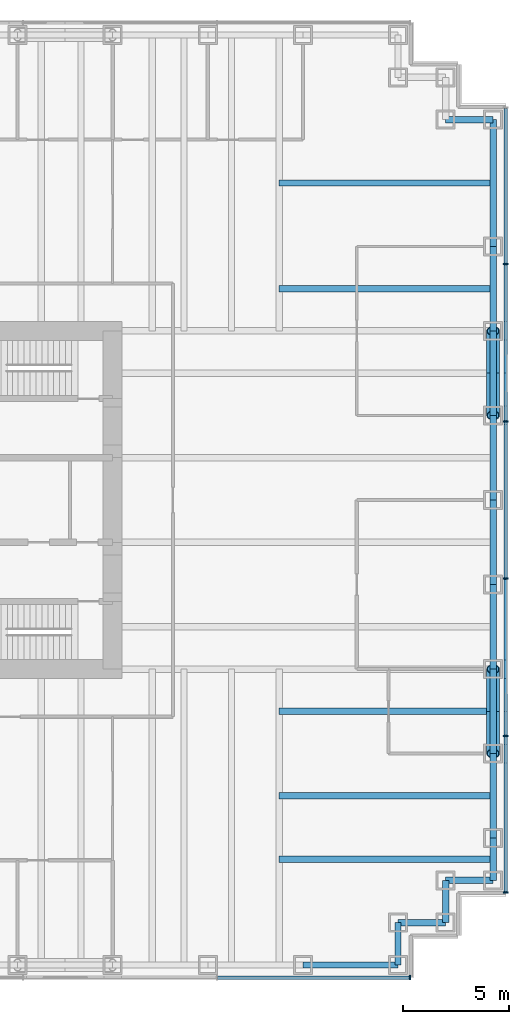
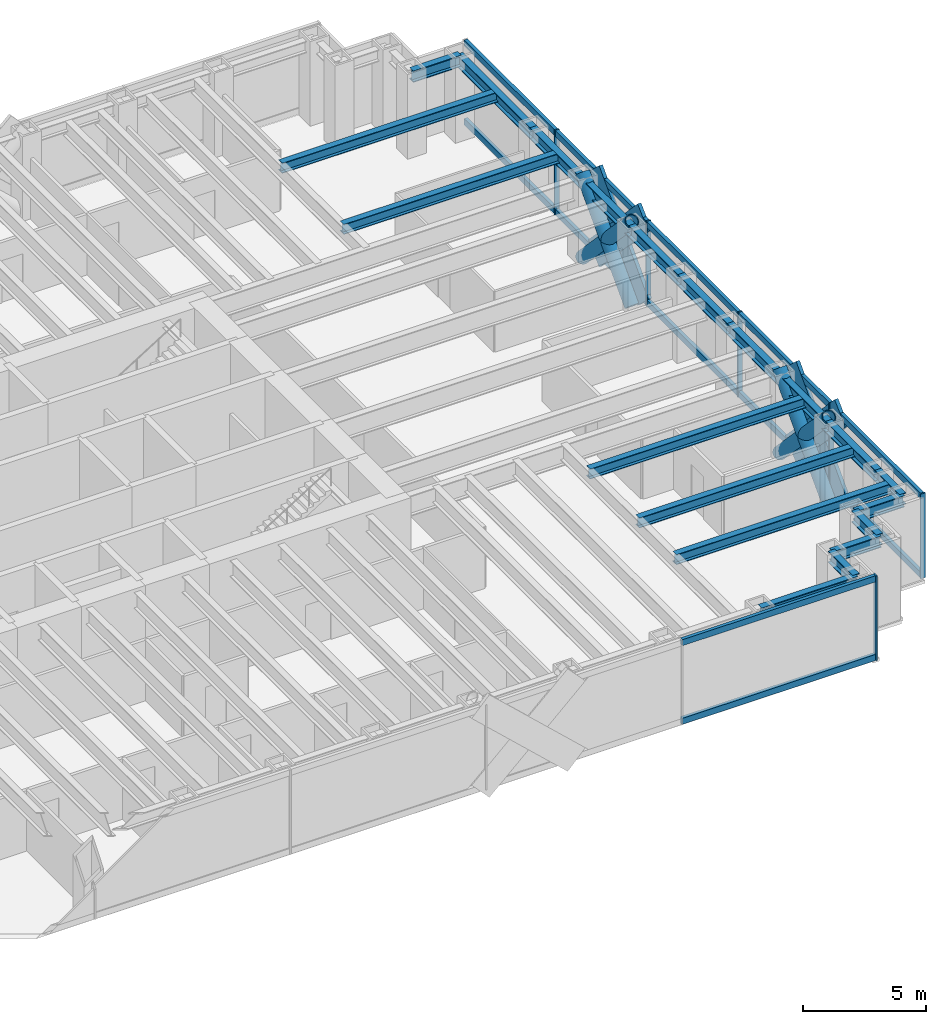
# One storey, part 8 of 19: 26 members, 20 beams, 2 elements without a shape of their own.
"""IFC4 building model written with IfcOpenShell, lengths in metres."""

from ifc_helpers import new_model, si_unit, direction, frame, origin, origin_2d, place, context, subcontext, project, spatial, rectangle, hollow_circle, i_section, extrude, material, material_profile, profile_set, type_object, element, aggregate, save


model = new_model("IFC4")

# Units and contexts
model_context = context("Model", 3, precision=1e-05, world=origin(), true_north=direction((0.0, 1.0)))
body_context = subcontext(model_context, "Body", "Model", "MODEL_VIEW")
ifc_project = project(units=[si_unit("LENGTHUNIT", "METRE"), si_unit("AREAUNIT", "SQUARE_METRE"), si_unit("VOLUMEUNIT", "CUBIC_METRE"), si_unit("PLANEANGLEUNIT", "RADIAN"), si_unit("MASSUNIT", "GRAM", prefix="KILO")], contexts=[model_context])

# Site, building, storey
site_placement = place(None, origin())
site = spatial("IfcSite", under=ifc_project, at=site_placement, CompositionType="ELEMENT")
building_placement = place(site_placement, origin())
building = spatial("IfcBuilding", under=site, at=building_placement, Name="Rheinbord Bourse Tower", CompositionType="ELEMENT")
storey_placement = place(building_placement, frame((0.0, 0.0, 167.699951171875)))
storey = spatial("IfcBuildingStorey", under=building, at=storey_placement, Name="L37", CompositionType="ELEMENT", Elevation=167.699951171875)

# Curtain wall, members
ifc_material_1 = material(Name="Dark glass and black aluminium", Category="aluminium")
curtain_wall_type = type_object("IfcCurtainWallType", Name="CW2 DARK GLASS CURTAIN WALL", PredefinedType="USERDEFINED", material=ifc_material_1)
curtain_wall_1_placement = place(storey_placement, origin())
curtain_wall_1 = element("IfcCurtainWall", 1, at=curtain_wall_1_placement, inside=storey, type_object=curtain_wall_type, Name="Curtain wall CW2 E L37", ObjectType="UNITISED CURTAIN WALL", PredefinedType="USERDEFINED")
ifc_material_2 = material(Name="Black anodised aluminium", Category="aluminium")
ifc_material_profile_1 = material_profile(ifc_material_2, rectangle(XDim=0.159912109375, YDim=1.2099609375, at=origin_2d()), Name="CW2 DIAGONAL MULLION 1210x160")
ifc_profile_set_1 = profile_set([ifc_material_profile_1], Name="Black anodised aluminium")
member_type_1 = type_object("IfcMemberType", Name="CW2 BLACK DIAGONAL MULLION", PredefinedType="USERDEFINED", material=ifc_profile_set_1)
member_1_placement = place(storey_placement, frame((72.60009765625, 12.0, 0.0), z_axis=(0.0, 0.689659376744, 0.724133926887), x_axis=(-1.0, 0.0, 0.0)))
member_1 = element("IfcMember", 2, at=member_1_placement, type_object=member_type_1, Name="CW2 diagonal mullion a", ObjectType="DIAGONAL MULLION", PredefinedType="USERDEFINED", context=body_context, shape_type="SweptSolid", body=[
    extrude(rectangle(XDim=0.159912109375, YDim=1.2099609375, at=origin_2d()), origin(), (0.0, 0.0, 1.0), 5.800048828125),
])
member_2_placement = place(storey_placement, frame((72.60009765625, 32.0, 0.0), z_axis=(0.0, -0.689659376744, 0.724133926887), x_axis=(1.0, 0.0, 0.0)))
member_2 = element("IfcMember", 3, at=member_2_placement, type_object=member_type_1, Name="CW2 diagonal mullion b", ObjectType="DIAGONAL MULLION", PredefinedType="USERDEFINED", context=body_context, shape_type="SweptSolid", body=[
    extrude(rectangle(XDim=0.159912109375, YDim=1.2099609375, at=origin_2d()), origin(), (0.0, 0.0, 1.0), 5.800048828125),
])
member_3_placement = place(storey_placement, frame((72.60009765625, 28.0, 0.0), z_axis=(0.0, 0.689659376744, 0.724133926887), x_axis=(-1.0, 0.0, 0.0)))
member_3 = element("IfcMember", 4, at=member_3_placement, type_object=member_type_1, Name="CW2 diagonal mullion c", ObjectType="DIAGONAL MULLION", PredefinedType="USERDEFINED", context=body_context, shape_type="SweptSolid", body=[
    extrude(rectangle(XDim=0.159912109375, YDim=1.2099609375, at=origin_2d()), origin(), (0.0, 0.0, 1.0), 5.800048828125),
])
member_4_placement = place(storey_placement, frame((72.60009765625, 16.0, 0.0), z_axis=(0.0, -0.689659376744, 0.724133926887), x_axis=(1.0, 0.0, 0.0)))
member_4 = element("IfcMember", 5, at=member_4_placement, type_object=member_type_1, Name="CW2 diagonal mullion d", ObjectType="DIAGONAL MULLION", PredefinedType="USERDEFINED", context=body_context, shape_type="SweptSolid", body=[
    extrude(rectangle(XDim=0.159912109375, YDim=1.2099609375, at=origin_2d()), origin(), (0.0, 0.0, 1.0), 5.800048828125),
])

# Curtain wall, member
curtain_wall_2_placement = place(storey_placement, origin())
curtain_wall_2 = element("IfcCurtainWall", 6, at=curtain_wall_2_placement, inside=storey, type_object=curtain_wall_type, Name="Curtain wall CW2 S L37", ObjectType="UNITISED CURTAIN WALL", PredefinedType="USERDEFINED")
ifc_material_3 = material(Name="Black anodised aluminium", Category="aluminium")
ifc_material_profile_2 = material_profile(ifc_material_3, rectangle(XDim=0.219970703125, YDim=0.070068359375, at=origin_2d()), Name="CW2 MULLION 70x220")
ifc_profile_set_2 = profile_set([ifc_material_profile_2], Name="Black anodised aluminium")
member_type_2 = type_object("IfcMemberType", Name="CW2 BLACK MULLION", PredefinedType="MULLION", material=ifc_profile_set_2)
member_5_placement = place(storey_placement, frame((68.06494140625, 1.39990234375, 0.0), z_axis=(0.0, 0.0, 1.0), x_axis=(0.0, 1.0, 0.0)))
member_5 = element("IfcMember", 7, at=member_5_placement, type_object=member_type_2, Name="CW2 mullion 8", PredefinedType="MULLION", context=body_context, shape_type="SweptSolid", body=[
    extrude(rectangle(XDim=0.219970703125, YDim=0.070068359375, at=origin_2d()), origin(), (0.0, 0.0, 1.0), 4.199951171875),
])

# Member
member_6_placement = place(storey_placement, frame((72.60009765625, 5.43505859375, 0.0), z_axis=(0.0, 0.0, 1.0), x_axis=(-1.0, 0.0, 0.0)))
member_6 = element("IfcMember", 8, at=member_6_placement, type_object=member_type_2, Name="CW2 mullion 1", PredefinedType="MULLION", context=body_context, shape_type="SweptSolid", body=[
    extrude(rectangle(XDim=0.219970703125, YDim=0.070068359375, at=origin_2d()), origin(), (0.0, 0.0, 1.0), 4.199951171875),
])

member_7_placement = place(storey_placement, frame((72.60009765625, 12.840087890625, 0.0), z_axis=(0.0, 0.0, 1.0), x_axis=(-1.0, 0.0, 0.0)))
member_7 = element("IfcMember", 9, at=member_7_placement, type_object=member_type_2, Name="CW2 mullion 2", PredefinedType="MULLION", context=body_context, shape_type="SweptSolid", body=[
    extrude(rectangle(XDim=0.219970703125, YDim=0.070068359375, at=origin_2d()), origin(), (0.0, 0.0, 1.0), 4.199951171875),
])

member_8_placement = place(storey_placement, frame((72.60009765625, 20.280029296875, 0.0), z_axis=(0.0, 0.0, 1.0), x_axis=(-1.0, 0.0, 0.0)))
member_8 = element("IfcMember", 10, at=member_8_placement, type_object=member_type_2, Name="CW2 mullion 3", PredefinedType="MULLION", context=body_context, shape_type="SweptSolid", body=[
    extrude(rectangle(XDim=0.219970703125, YDim=0.070068359375, at=origin_2d()), origin(), (0.0, 0.0, 1.0), 4.199951171875),
])

member_9_placement = place(storey_placement, frame((72.60009765625, 27.719970703125, 0.0), z_axis=(0.0, 0.0, 1.0), x_axis=(-1.0, 0.0, 0.0)))
member_9 = element("IfcMember", 11, at=member_9_placement, type_object=member_type_2, Name="CW2 mullion 4", PredefinedType="MULLION", context=body_context, shape_type="SweptSolid", body=[
    extrude(rectangle(XDim=0.219970703125, YDim=0.070068359375, at=origin_2d()), origin(), (0.0, 0.0, 1.0), 4.199951171875),
])

member_10_placement = place(storey_placement, frame((72.60009765625, 35.159912109375, 0.0), z_axis=(0.0, 0.0, 1.0), x_axis=(-1.0, 0.0, 0.0)))
member_10 = element("IfcMember", 12, at=member_10_placement, type_object=member_type_2, Name="CW2 mullion 5", PredefinedType="MULLION", context=body_context, shape_type="SweptSolid", body=[
    extrude(rectangle(XDim=0.219970703125, YDim=0.070068359375, at=origin_2d()), origin(), (0.0, 0.0, 1.0), 4.199951171875),
])

ifc_material_4 = material(Name="Black anodised aluminium", Category="aluminium")
ifc_material_profile_3 = material_profile(ifc_material_4, rectangle(XDim=0.159912109375, YDim=0.300048828125, at=origin_2d()), Name="CW2 TRANSOM 300x160")
ifc_profile_set_3 = profile_set([ifc_material_profile_3], Name="Black anodised aluminium")
member_type_3 = type_object("IfcMemberType", Name="CW2 BLACK TRANSOM", PredefinedType="USERDEFINED", material=ifc_profile_set_3)
member_11_placement = place(storey_placement, frame((58.963623046875, 1.39990234375, 0.150146484375), z_axis=(1.0, 0.0, 0.0), x_axis=(0.0, 1.0, 0.0)))
member_11 = element("IfcMember", 13, at=member_11_placement, type_object=member_type_3, Name="CW2 transom 7.1", ObjectType="TRANSOM", PredefinedType="USERDEFINED", context=body_context, shape_type="SweptSolid", body=[
    extrude(rectangle(XDim=0.159912109375, YDim=0.300048828125, at=origin_2d()), origin(), (0.0, 0.0, 1.0), 9.06640625),
])

member_12_placement = place(storey_placement, frame((58.963623046875, 1.39990234375, 4.050048828125), z_axis=(1.0, 0.0, 0.0), x_axis=(0.0, 1.0, 0.0)))
member_12 = element("IfcMember", 14, at=member_12_placement, type_object=member_type_3, Name="CW2 transom 7.2", ObjectType="TRANSOM", PredefinedType="USERDEFINED", context=body_context, shape_type="SweptSolid", body=[
    extrude(rectangle(XDim=0.159912109375, YDim=0.300048828125, at=origin_2d()), origin(), (0.0, 0.0, 1.0), 9.06640625),
])

aggregate(curtain_wall_2, [member_5, member_11, member_12])

member_13_placement = place(storey_placement, frame((72.60009765625, 5.469970703125, 0.150146484375), z_axis=(0.0, 1.0, 0.0), x_axis=(-1.0, 0.0, 0.0)))
member_13 = element("IfcMember", 15, at=member_13_placement, type_object=member_type_3, Name="CW2 transom 1.1", ObjectType="TRANSOM", PredefinedType="USERDEFINED", context=body_context, shape_type="SweptSolid", body=[
    extrude(rectangle(XDim=0.159912109375, YDim=0.300048828125, at=origin_2d()), origin(), (0.0, 0.0, 1.0), 7.3349609375),
])

member_14_placement = place(storey_placement, frame((72.60009765625, 5.469970703125, 4.050048828125), z_axis=(0.0, 1.0, 0.0), x_axis=(-1.0, 0.0, 0.0)))
member_14 = element("IfcMember", 16, at=member_14_placement, type_object=member_type_3, Name="CW2 transom 1.2", ObjectType="TRANSOM", PredefinedType="USERDEFINED", context=body_context, shape_type="SweptSolid", body=[
    extrude(rectangle(XDim=0.159912109375, YDim=0.300048828125, at=origin_2d()), origin(), (0.0, 0.0, 1.0), 7.3349609375),
])

member_15_placement = place(storey_placement, frame((72.60009765625, 12.875, 0.150146484375), z_axis=(0.0, 1.0, 0.0), x_axis=(-1.0, 0.0, 0.0)))
member_15 = element("IfcMember", 17, at=member_15_placement, type_object=member_type_3, Name="CW2 transom 2.1", ObjectType="TRANSOM", PredefinedType="USERDEFINED", context=body_context, shape_type="SweptSolid", body=[
    extrude(rectangle(XDim=0.159912109375, YDim=0.300048828125, at=origin_2d()), origin(), (0.0, 0.0, 1.0), 7.3701171875),
])

member_16_placement = place(storey_placement, frame((72.60009765625, 12.875, 4.050048828125), z_axis=(0.0, 1.0, 0.0), x_axis=(-1.0, 0.0, 0.0)))
member_16 = element("IfcMember", 18, at=member_16_placement, type_object=member_type_3, Name="CW2 transom 2.2", ObjectType="TRANSOM", PredefinedType="USERDEFINED", context=body_context, shape_type="SweptSolid", body=[
    extrude(rectangle(XDim=0.159912109375, YDim=0.300048828125, at=origin_2d()), origin(), (0.0, 0.0, 1.0), 7.3701171875),
])

member_17_placement = place(storey_placement, frame((72.60009765625, 20.31494140625, 0.150146484375), z_axis=(0.0, 1.0, 0.0), x_axis=(-1.0, 0.0, 0.0)))
member_17 = element("IfcMember", 19, at=member_17_placement, type_object=member_type_3, Name="CW2 transom 3.1", ObjectType="TRANSOM", PredefinedType="USERDEFINED", context=body_context, shape_type="SweptSolid", body=[
    extrude(rectangle(XDim=0.159912109375, YDim=0.300048828125, at=origin_2d()), origin(), (0.0, 0.0, 1.0), 7.3701171875),
])

member_18_placement = place(storey_placement, frame((72.60009765625, 20.31494140625, 4.050048828125), z_axis=(0.0, 1.0, 0.0), x_axis=(-1.0, 0.0, 0.0)))
member_18 = element("IfcMember", 20, at=member_18_placement, type_object=member_type_3, Name="CW2 transom 3.2", ObjectType="TRANSOM", PredefinedType="USERDEFINED", context=body_context, shape_type="SweptSolid", body=[
    extrude(rectangle(XDim=0.159912109375, YDim=0.300048828125, at=origin_2d()), origin(), (0.0, 0.0, 1.0), 7.3701171875),
])

member_19_placement = place(storey_placement, frame((72.60009765625, 27.7548828125, 0.150146484375), z_axis=(0.0, 1.0, 0.0), x_axis=(-1.0, 0.0, 0.0)))
member_19 = element("IfcMember", 21, at=member_19_placement, type_object=member_type_3, Name="CW2 transom 4.1", ObjectType="TRANSOM", PredefinedType="USERDEFINED", context=body_context, shape_type="SweptSolid", body=[
    extrude(rectangle(XDim=0.159912109375, YDim=0.300048828125, at=origin_2d()), origin(), (0.0, 0.0, 1.0), 7.3701171875),
])

member_20_placement = place(storey_placement, frame((72.60009765625, 27.7548828125, 4.050048828125), z_axis=(0.0, 1.0, 0.0), x_axis=(-1.0, 0.0, 0.0)))
member_20 = element("IfcMember", 22, at=member_20_placement, type_object=member_type_3, Name="CW2 transom 4.2", ObjectType="TRANSOM", PredefinedType="USERDEFINED", context=body_context, shape_type="SweptSolid", body=[
    extrude(rectangle(XDim=0.159912109375, YDim=0.300048828125, at=origin_2d()), origin(), (0.0, 0.0, 1.0), 7.3701171875),
])

member_21_placement = place(storey_placement, frame((72.60009765625, 35.195068359375, 0.150146484375), z_axis=(0.0, 1.0, 0.0), x_axis=(-1.0, 0.0, 0.0)))
member_21 = element("IfcMember", 23, at=member_21_placement, type_object=member_type_3, Name="CW2 transom 5.1", ObjectType="TRANSOM", PredefinedType="USERDEFINED", context=body_context, shape_type="SweptSolid", body=[
    extrude(rectangle(XDim=0.159912109375, YDim=0.300048828125, at=origin_2d()), origin(), (0.0, 0.0, 1.0), 7.3349609375),
])

member_22_placement = place(storey_placement, frame((72.60009765625, 35.195068359375, 4.050048828125), z_axis=(0.0, 1.0, 0.0), x_axis=(-1.0, 0.0, 0.0)))
member_22 = element("IfcMember", 24, at=member_22_placement, type_object=member_type_3, Name="CW2 transom 5.2", ObjectType="TRANSOM", PredefinedType="USERDEFINED", context=body_context, shape_type="SweptSolid", body=[
    extrude(rectangle(XDim=0.159912109375, YDim=0.300048828125, at=origin_2d()), origin(), (0.0, 0.0, 1.0), 7.3349609375),
])

aggregate(curtain_wall_1, [member_6, member_7, member_8, member_9, member_10, member_13, member_14, member_15, member_16, member_17, member_18, member_19, member_20, member_21, member_22, member_1, member_2, member_3, member_4])

# Members
ifc_material_5 = material(Name="Steel S460", Category="steel")
ifc_material_profile_4 = material_profile(ifc_material_5, hollow_circle(Radius=0.304931640625, WallThickness=0.0400390625, at=origin_2d()), Name="CHS 610x40")
ifc_profile_set_4 = profile_set([ifc_material_profile_4], Name="Steel S460")
member_type_4 = type_object("IfcMemberType", Name="MEGABRACE CHS 610x40", PredefinedType="BRACE", material=ifc_profile_set_4)
for number, where, z_axis, x_axis, name in (
    (25, (72.0, 12.0, 0.0), (0.0, 0.689659376744, 0.724133926887), (-1.0, 0.0, 0.0), "Megabrace E face line a L37"),
    (26, (72.0, 32.0, 0.0), (0.0, -0.689659376744, 0.724133926887), (1.0, 0.0, 0.0), "Megabrace E face line b L37"),
    (27, (72.0, 28.0, 0.0), (0.0, 0.689659376744, 0.724133926887), (-1.0, 0.0, 0.0), "Megabrace E face line c L37"),
    (28, (72.0, 16.0, 0.0), (0.0, -0.689659376744, 0.724133926887), (1.0, 0.0, 0.0), "Megabrace E face line d L37"),
):
    element("IfcMember", number, at=place(storey_placement, frame(where, z_axis=z_axis, x_axis=x_axis)), inside=storey, type_object=member_type_4, Name=name, PredefinedType="BRACE", context=body_context, shape_type="SweptSolid", body=[
        extrude(hollow_circle(Radius=0.304931640625, WallThickness=0.0400390625, at=origin_2d()), origin(), (0.0, 0.0, 1.0), 5.800048828125),
    ])

# Beams
ifc_material_6 = material(Name="Steel S460", Category="steel")
ifc_material_profile_5 = material_profile(ifc_material_6, i_section(OverallWidth=0.305908203125, OverallDepth=0.572021484375, WebThickness=0.02099609375, FlangeThickness=0.0400390625, at=origin_2d()), Name="HEM 550")
ifc_profile_set_5 = profile_set([ifc_material_profile_5], Name="Steel S460")
beam_type_1 = type_object("IfcBeamType", Name="SPANDREL HEM 550", PredefinedType="SPANDREL", material=ifc_profile_set_5)
beam_1_placement = place(storey_placement, frame((63.0, 2.0, 3.754150390625), z_axis=(1.0, 0.0, 0.0), x_axis=(0.0, 1.0, 0.0)))
element("IfcBeam", 29, at=beam_1_placement, inside=storey, type_object=beam_type_1, Name="Spandrel S-63-SE-E under L38", PredefinedType="SPANDREL", context=body_context, shape_type="SweptSolid", body=[
    extrude(i_section(OverallWidth=0.305908203125, OverallDepth=0.572021484375, WebThickness=0.02099609375, FlangeThickness=0.0400390625, at=origin_2d()), origin(), (0.0, 0.0, 1.0), 4.5),
])
beam_2_placement = place(storey_placement, frame((67.5, 2.0, 3.754150390625), z_axis=(0.0, 1.0, 0.0), x_axis=(-1.0, 0.0, 0.0)))
element("IfcBeam", 30, at=beam_2_placement, inside=storey, type_object=beam_type_1, Name="Spandrel SE-E-SE-D under L38", PredefinedType="SPANDREL", context=body_context, shape_type="SweptSolid", body=[
    extrude(i_section(OverallWidth=0.305908203125, OverallDepth=0.572021484375, WebThickness=0.02099609375, FlangeThickness=0.0400390625, at=origin_2d()), origin(), (0.0, 0.0, 1.0), 2.0),
])
beam_3_placement = place(storey_placement, frame((67.5, 4.0, 3.754150390625), z_axis=(1.0, 0.0, 0.0), x_axis=(0.0, 1.0, 0.0)))
element("IfcBeam", 31, at=beam_3_placement, inside=storey, type_object=beam_type_1, Name="Spandrel SE-D-SE-C under L38", PredefinedType="SPANDREL", context=body_context, shape_type="SweptSolid", body=[
    extrude(i_section(OverallWidth=0.305908203125, OverallDepth=0.572021484375, WebThickness=0.02099609375, FlangeThickness=0.0400390625, at=origin_2d()), origin(), (0.0, 0.0, 1.0), 2.25),
])
beam_4_placement = place(storey_placement, frame((69.75, 4.0, 3.754150390625), z_axis=(0.0, 1.0, 0.0), x_axis=(-1.0, 0.0, 0.0)))
element("IfcBeam", 32, at=beam_4_placement, inside=storey, type_object=beam_type_1, Name="Spandrel SE-C-SE-B under L38", PredefinedType="SPANDREL", context=body_context, shape_type="SweptSolid", body=[
    extrude(i_section(OverallWidth=0.305908203125, OverallDepth=0.572021484375, WebThickness=0.02099609375, FlangeThickness=0.0400390625, at=origin_2d()), origin(), (0.0, 0.0, 1.0), 2.0),
])
beam_5_placement = place(storey_placement, frame((69.75, 6.0, 3.754150390625), z_axis=(1.0, 0.0, 0.0), x_axis=(0.0, 1.0, 0.0)))
element("IfcBeam", 33, at=beam_5_placement, inside=storey, type_object=beam_type_1, Name="Spandrel SE-B-SE-A under L38", PredefinedType="SPANDREL", context=body_context, shape_type="SweptSolid", body=[
    extrude(i_section(OverallWidth=0.305908203125, OverallDepth=0.572021484375, WebThickness=0.02099609375, FlangeThickness=0.0400390625, at=origin_2d()), origin(), (0.0, 0.0, 1.0), 2.25),
])
beam_6_placement = place(storey_placement, frame((72.0, 6.0, 3.754150390625), z_axis=(0.0, 1.0, 0.0), x_axis=(-1.0, 0.0, 0.0)))
element("IfcBeam", 34, at=beam_6_placement, inside=storey, type_object=beam_type_1, Name="Spandrel SE-A-E-8 under L38", PredefinedType="SPANDREL", context=body_context, shape_type="SweptSolid", body=[
    extrude(i_section(OverallWidth=0.305908203125, OverallDepth=0.572021484375, WebThickness=0.02099609375, FlangeThickness=0.0400390625, at=origin_2d()), origin(), (0.0, 0.0, 1.0), 2.0),
])
for number, where, z_axis, x_axis, name in (
    (35, (72.0, 8.0, 3.754150390625), (0.0, 1.0, 0.0), (-1.0, 0.0, 0.0), "Spandrel E-8-E-12 under L38"),
    (36, (72.0, 12.0, 3.754150390625), (0.0, 1.0, 0.0), (-1.0, 0.0, 0.0), "Spandrel E-12-E-16 under L38"),
    (37, (72.0, 16.0, 3.754150390625), (0.0, 1.0, 0.0), (-1.0, 0.0, 0.0), "Spandrel E-16-E-20 under L38"),
    (38, (72.0, 20.0, 3.754150390625), (0.0, 1.0, 0.0), (-1.0, 0.0, 0.0), "Spandrel E-20-E-24 under L38"),
    (39, (72.0, 24.0, 3.754150390625), (0.0, 1.0, 0.0), (-1.0, 0.0, 0.0), "Spandrel E-24-E-28 under L38"),
    (40, (72.0, 28.0, 3.754150390625), (0.0, 1.0, 0.0), (-1.0, 0.0, 0.0), "Spandrel E-28-E-32 under L38"),
    (41, (72.0, 32.0, 3.754150390625), (0.0, 1.0, 0.0), (-1.0, 0.0, 0.0), "Spandrel E-32-E-36 under L38"),
):
    element("IfcBeam", number, at=place(storey_placement, frame(where, z_axis=z_axis, x_axis=x_axis)), inside=storey, type_object=beam_type_1, Name=name, PredefinedType="SPANDREL", context=body_context, shape_type="SweptSolid", body=[
        extrude(i_section(OverallWidth=0.305908203125, OverallDepth=0.572021484375, WebThickness=0.02099609375, FlangeThickness=0.0400390625, at=origin_2d()), origin(), (0.0, 0.0, 1.0), 4.0),
    ])
beam_7_placement = place(storey_placement, frame((72.0, 36.0, 3.754150390625), z_axis=(0.0, 1.0, 0.0), x_axis=(-1.0, 0.0, 0.0)))
element("IfcBeam", 42, at=beam_7_placement, inside=storey, type_object=beam_type_1, Name="Spandrel E-36-NE-A under L38", PredefinedType="SPANDREL", context=body_context, shape_type="SweptSolid", body=[
    extrude(i_section(OverallWidth=0.305908203125, OverallDepth=0.572021484375, WebThickness=0.02099609375, FlangeThickness=0.0400390625, at=origin_2d()), origin(), (0.0, 0.0, 1.0), 6.0),
])
beam_8_placement = place(storey_placement, frame((72.0, 42.0, 3.754150390625), z_axis=(-1.0, 0.0, 0.0), x_axis=(0.0, -1.0, 0.0)))
element("IfcBeam", 43, at=beam_8_placement, inside=storey, type_object=beam_type_1, Name="Spandrel NE-A-NE-B under L38", PredefinedType="SPANDREL", context=body_context, shape_type="SweptSolid", body=[
    extrude(i_section(OverallWidth=0.305908203125, OverallDepth=0.572021484375, WebThickness=0.02099609375, FlangeThickness=0.0400390625, at=origin_2d()), origin(), (0.0, 0.0, 1.0), 2.25),
])
ifc_material_7 = material(Name="Steel S460", Category="steel")
ifc_material_profile_6 = material_profile(ifc_material_7, i_section(OverallWidth=0.300048828125, OverallDepth=0.5, WebThickness=0.014404296875, FlangeThickness=0.028076171875, at=origin_2d()), Name="HEB 500")
ifc_profile_set_6 = profile_set([ifc_material_profile_6], Name="Steel S460")
beam_type_2 = type_object("IfcBeamType", Name="TIE BEAM HEB 500", PredefinedType="JOIST", material=ifc_profile_set_6)
for number, where, z_axis, x_axis, name in (
    (44, (61.875, 7.0, 3.7900390625), (1.0, 0.0, 0.0), (0.0, 1.0, 0.0), "Tie east 7 L38"),
    (45, (61.875, 10.0, 3.7900390625), (1.0, 0.0, 0.0), (0.0, 1.0, 0.0), "Tie east 10 L38"),
    (46, (61.875, 14.0, 3.7900390625), (1.0, 0.0, 0.0), (0.0, 1.0, 0.0), "Tie east 14 L38"),
    (47, (61.875, 34.0, 3.7900390625), (1.0, 0.0, 0.0), (0.0, 1.0, 0.0), "Tie east 34 L38"),
    (48, (61.875, 39.0, 3.7900390625), (1.0, 0.0, 0.0), (0.0, 1.0, 0.0), "Tie east 39 L38"),
):
    element("IfcBeam", number, at=place(storey_placement, frame(where, z_axis=z_axis, x_axis=x_axis)), inside=storey, type_object=beam_type_2, Name=name, PredefinedType="JOIST", context=body_context, shape_type="SweptSolid", body=[
        extrude(i_section(OverallWidth=0.300048828125, OverallDepth=0.5, WebThickness=0.014404296875, FlangeThickness=0.028076171875, at=origin_2d()), origin(), (0.0, 0.0, 1.0), 10.125),
    ])

save(model, "model.ifc")
